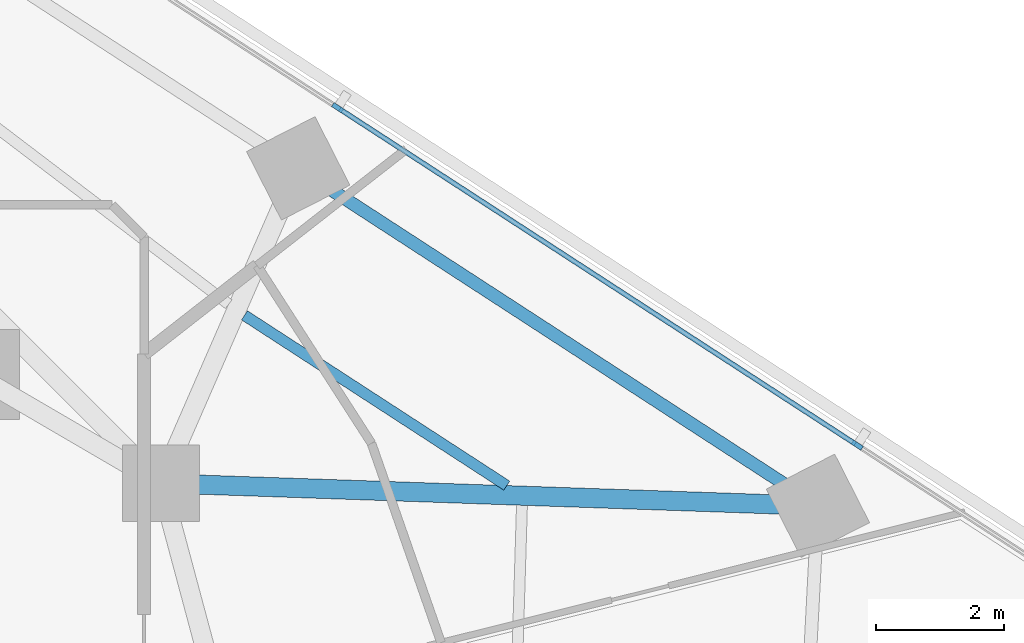
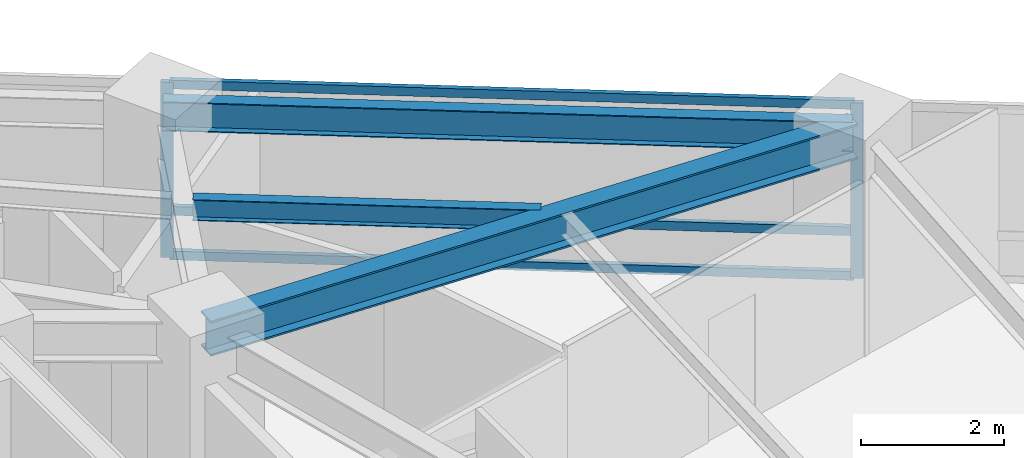
# One storey, part 6 of 14: 5 members, 3 beams, 1 element without a shape of its own.
"""IFC4 building model written with IfcOpenShell, lengths in metres."""

from ifc_helpers import new_model, si_unit, direction, frame, origin, origin_2d, place, context, subcontext, project, spatial, rectangle, i_section, extrude, material, layer, layer_set, material_profile, profile_set, type_object, element, aggregate, save


model = new_model("IFC4")

# Units and contexts
model_context = context("Model", 3, precision=1e-05, world=origin(), true_north=direction((0.0, 1.0)))
body_context = subcontext(model_context, "Body", "Model", "MODEL_VIEW")
ifc_project = project(units=[si_unit("LENGTHUNIT", "METRE"), si_unit("AREAUNIT", "SQUARE_METRE"), si_unit("VOLUMEUNIT", "CUBIC_METRE"), si_unit("PLANEANGLEUNIT", "RADIAN"), si_unit("MASSUNIT", "GRAM", prefix="KILO")], contexts=[model_context])

# Site, building, storey
site_placement = place(None, origin())
site = spatial("IfcSite", under=ifc_project, at=site_placement, CompositionType="ELEMENT")
building_placement = place(site_placement, origin())
building = spatial("IfcBuilding", under=site, at=building_placement, Name="Terralouvre Media Tower", CompositionType="ELEMENT")
storey_placement = place(building_placement, frame((0.0, 0.0, 127.300048828125)))
storey = spatial("IfcBuildingStorey", under=building, at=storey_placement, Name="L32", CompositionType="ELEMENT", Elevation=127.300048828125)

# Beam
ifc_material_1 = material(Name="Structural steel S355J2", Category="steel")
ifc_material_profile_1 = material_profile(ifc_material_1, i_section(OverallWidth=0.169921875, OverallDepth=0.360107421875, WebThickness=0.008056640625, FlangeThickness=0.0126953125, at=origin_2d()), Name="IPE 360")
ifc_profile_set_1 = profile_set([ifc_material_profile_1], Name="Structural steel S355J2")
beam_type_1 = type_object("IfcBeamType", Name="Composite Floor Joist J-IPE360 (IPE 360)", PredefinedType="JOIST", material=ifc_profile_set_1)
beam_1_placement = place(storey_placement, frame((16.31494140625, 6.263916015625, 3.320068359375), z_axis=(-0.838663920822, 0.544649270551, 0.0), x_axis=(-0.544649270551, -0.838663920822, 0.0)))
element("IfcBeam", 1, at=beam_1_placement, inside=storey, type_object=beam_type_1, Name="L32 Framing Beam JT-L32-07", PredefinedType="JOIST", context=body_context, shape_type="SweptSolid", body=[
    extrude(i_section(OverallWidth=0.169921875, OverallDepth=0.360107421875, WebThickness=0.008056640625, FlangeThickness=0.0126953125, at=origin_2d()), origin(), (0.0, 0.0, 1.0), 4.885009765625),
])

# Curtain wall, members
ifc_material_2 = material(Name="Low-iron laminated double glazing with solar-control coating", Category="glass")
ifc_layer = layer(ifc_material_2, 0.1650390625, Name="Production Studio Tower Curtain Wall CW-03")
ifc_layer_set = layer_set([ifc_layer], Name="Low-iron laminated double glazing with solar-control coating")
curtain_wall_type = type_object("IfcCurtainWallType", Name="Production Studio Tower Curtain Wall CW-03", PredefinedType="NOTDEFINED", material=ifc_layer_set)
curtain_wall_placement = place(storey_placement, origin())
curtain_wall = element("IfcCurtainWall", 2, at=curtain_wall_placement, inside=storey, type_object=curtain_wall_type, Name="L32 Facade Curtain Wall F1", PredefinedType="NOTDEFINED")
ifc_material_3 = material(Name="Anodised extruded aluminium 6063-T6", Category="aluminium")
ifc_material_profile_2 = material_profile(ifc_material_3, rectangle(XDim=0.074951171875, YDim=0.14990234375, at=origin_2d()), Name="ALU 75x150")
ifc_profile_set_2 = profile_set([ifc_material_profile_2], Name="Anodised extruded aluminium 6063-T6")
member_type_1 = type_object("IfcMemberType", Name="Curtain-Wall Horizontal Transom TR-150", PredefinedType="USERDEFINED", material=ifc_profile_set_2)
member_1_placement = place(storey_placement, frame((21.760009765625, 6.916259765625, 0.037353515625), z_axis=(-0.838661320759, 0.544653274169, 0.0), x_axis=(-0.544653274169, -0.838661320759, 0.0)))
member_1 = element("IfcMember", 3, at=member_1_placement, type_object=member_type_1, Name="CW-03 transom 2.1", ObjectType="TRANSOM", PredefinedType="USERDEFINED", context=body_context, shape_type="SweptSolid", body=[
    extrude(rectangle(XDim=0.074951171875, YDim=0.14990234375, at=origin_2d()), origin(), (0.0, 0.0, 1.0), 9.60498046875),
])
member_2_placement = place(storey_placement, frame((21.760009765625, 6.916259765625, 0.800048828125), z_axis=(-0.838661320759, 0.544653274169, 0.0), x_axis=(-0.544653274169, -0.838661320759, 0.0)))
member_2 = element("IfcMember", 4, at=member_2_placement, type_object=member_type_1, Name="CW-03 transom 2.2", ObjectType="TRANSOM", PredefinedType="USERDEFINED", context=body_context, shape_type="SweptSolid", body=[
    extrude(rectangle(XDim=0.074951171875, YDim=0.14990234375, at=origin_2d()), origin(), (0.0, 0.0, 1.0), 9.60498046875),
])
member_3_placement = place(storey_placement, frame((21.760009765625, 6.916259765625, 2.96240234375), z_axis=(-0.838661320759, 0.544653274169, 0.0), x_axis=(-0.544653274169, -0.838661320759, 0.0)))
member_3 = element("IfcMember", 5, at=member_3_placement, type_object=member_type_1, Name="CW-03 transom 2.3", ObjectType="TRANSOM", PredefinedType="USERDEFINED", context=body_context, shape_type="SweptSolid", body=[
    extrude(rectangle(XDim=0.074951171875, YDim=0.14990234375, at=origin_2d()), origin(), (0.0, 0.0, 1.0), 9.60498046875),
])
ifc_material_4 = material(Name="Anodised extruded aluminium 6063-T6", Category="aluminium")
ifc_material_profile_3 = material_profile(ifc_material_4, rectangle(XDim=0.074951171875, YDim=0.179931640625, at=origin_2d()), Name="ALU 75x180")
ifc_profile_set_3 = profile_set([ifc_material_profile_3], Name="Anodised extruded aluminium 6063-T6")
member_type_2 = type_object("IfcMemberType", Name="Curtain-Wall Vertical Mullion ML-180", PredefinedType="MULLION", material=ifc_profile_set_3)
member_4_placement = place(storey_placement, frame((21.79150390625, 6.89599609375, 0.0), z_axis=(0.0, 0.0, 1.0), x_axis=(-0.544639002681, -0.838670588944, 0.0)))
member_4 = element("IfcMember", 6, at=member_4_placement, type_object=member_type_2, Name="CW-03 mullion 2", PredefinedType="MULLION", context=body_context, shape_type="SweptSolid", body=[
    extrude(rectangle(XDim=0.074951171875, YDim=0.179931640625, at=origin_2d()), origin(), (0.0, 0.0, 1.0), 3.0),
])
member_5_placement = place(storey_placement, frame((13.673095703125, 12.16796875, 0.0), z_axis=(0.0, 0.0, 1.0), x_axis=(-0.544639002681, -0.838670588944, 0.0)))
member_5 = element("IfcMember", 7, at=member_5_placement, type_object=member_type_2, Name="CW-03 mullion 3", PredefinedType="MULLION", context=body_context, shape_type="SweptSolid", body=[
    extrude(rectangle(XDim=0.074951171875, YDim=0.179931640625, at=origin_2d()), origin(), (0.0, 0.0, 1.0), 3.0),
])
aggregate(curtain_wall, [member_4, member_5, member_1, member_2, member_3])

# Beams
ifc_material_5 = material(Name="Structural steel S355J2", Category="steel")
ifc_material_profile_4 = material_profile(ifc_material_5, i_section(OverallWidth=0.199951171875, OverallDepth=0.5, WebThickness=0.01025390625, FlangeThickness=0.01611328125, at=origin_2d()), Name="IPE 500")
ifc_profile_set_4 = profile_set([ifc_material_profile_4], Name="Structural steel S355J2")
beam_type_2 = type_object("IfcBeamType", Name="Perimeter Spandrel Beam SPB-500 (IPE 500)", PredefinedType="SPANDREL", material=ifc_profile_set_4)
beam_2_placement = place(storey_placement, frame((21.176025390625, 5.9482421875, 3.25), z_axis=(-0.838667695914, 0.54464345753, 0.0), x_axis=(-0.54464345753, -0.838667695914, 0.0)))
element("IfcBeam", 8, at=beam_2_placement, inside=storey, type_object=beam_type_2, Name="L32 Framing Beam BM-L32-PR07", PredefinedType="SPANDREL", context=body_context, shape_type="SweptSolid", body=[
    extrude(i_section(OverallWidth=0.199951171875, OverallDepth=0.5, WebThickness=0.01025390625, FlangeThickness=0.01611328125, at=origin_2d()), origin(), (0.0, 0.0, 1.0), 9.68017578125),
])
ifc_material_6 = material(Name="Structural steel S460M", Category="steel")
ifc_material_profile_5 = material_profile(ifc_material_6, i_section(OverallWidth=0.300048828125, OverallDepth=0.60009765625, WebThickness=0.015380859375, FlangeThickness=0.030029296875, at=origin_2d()), Name="HEB 600")
ifc_profile_set_5 = profile_set([ifc_material_profile_5], Name="Structural steel S460M")
beam_type_3 = type_object("IfcBeamType", Name="Primary Floor Girder B-HEB600 (HEB 600)", PredefinedType="BEAM", material=ifc_profile_set_5)
beam_3_placement = place(storey_placement, frame((10.911865234375, 6.300048828125, 3.199951171875), z_axis=(0.999413120714, -0.034255133128, 0.0), x_axis=(0.034255133128, 0.999413120714, 0.0)))
element("IfcBeam", 9, at=beam_3_placement, inside=storey, type_object=beam_type_3, Name="L32 Framing Beam BM-L32-RD07", PredefinedType="BEAM", context=body_context, shape_type="SweptSolid", body=[
    extrude(i_section(OverallWidth=0.300048828125, OverallDepth=0.60009765625, WebThickness=0.015380859375, FlangeThickness=0.030029296875, at=origin_2d()), origin(), (0.0, 0.0, 1.0), 10.270263671875),
])

save(model, "model.ifc")
